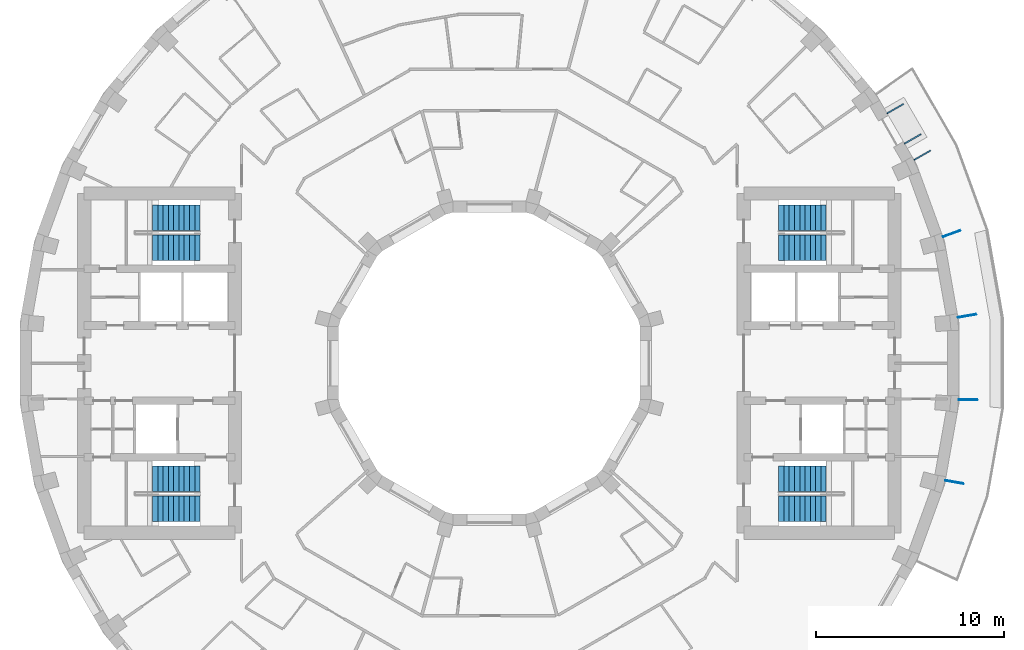
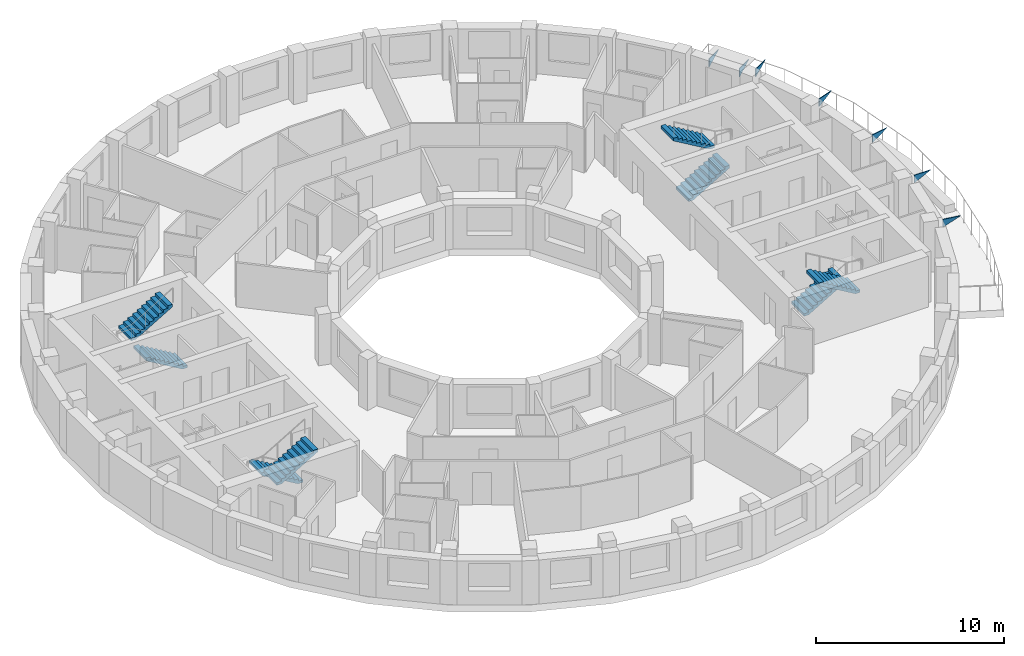
# One storey, part 10 of 11: 8 stair flights, 7 discrete accessories, 4 elements without a shape of their own.
"""IFC4 building model written with IfcOpenShell, lengths in metres."""

from ifc_helpers import new_model, si_unit, direction, frame, origin, place, context, subcontext, project, spatial, polyline, outline, extrude, material, layer, layer_set, type_object, element, aggregate, save


model = new_model("IFC4")

# Units and contexts
model_context = context("Model", 3, precision=1e-05, world=origin(), true_north=direction((0.0, 1.0)))
body_context = subcontext(model_context, "Body", "Model", "MODEL_VIEW")
ifc_project = project(units=[si_unit("LENGTHUNIT", "METRE"), si_unit("AREAUNIT", "SQUARE_METRE"), si_unit("VOLUMEUNIT", "CUBIC_METRE"), si_unit("PLANEANGLEUNIT", "RADIAN"), si_unit("MASSUNIT", "GRAM", prefix="KILO")], contexts=[model_context])

# Site, building, storey
site_placement = place(None, origin())
site = spatial("IfcSite", under=ifc_project, at=site_placement, CompositionType="ELEMENT")
building_placement = place(site_placement, origin())
building = spatial("IfcBuilding", under=site, at=building_placement, Name="Saqina Gate Tower", CompositionType="ELEMENT")
storey_placement = place(building_placement, frame((0.0, 0.0, 180.60009765625)))
storey = spatial("IfcBuildingStorey", under=building, at=storey_placement, Name="L51", CompositionType="ELEMENT", Elevation=180.60009765625)

# Stair, stair flights
ifc_material_1 = material(Name="Concrete C40/50", Category="concrete")
stair_type = type_object("IfcStairType", Name="EXIT STAIR", PredefinedType="HALF_TURN_STAIR", material=ifc_material_1)
stair_1_placement = place(storey_placement, origin())
stair_1 = element("IfcStair", 1, at=stair_1_placement, inside=storey, type_object=stair_type, Name="EXIT STAIR 1", PredefinedType="HALF_TURN_STAIR")
ifc_material_2 = material(Name="Concrete C40/50", Category="concrete")
stair_flight_type = type_object("IfcStairFlightType", Name="EXIT STAIR FLIGHT", PredefinedType="STRAIGHT", material=ifc_material_2)
stair_flight_1_placement = place(storey_placement, frame((15.35009765625, 6.125, 0.0), z_axis=(0.0, 0.0, 1.0), x_axis=(1.0, 0.0, 0.0)))
stair_flight_1 = element("IfcStairFlight", 2, at=stair_flight_1_placement, type_object=stair_flight_type, Name="EXIT STAIR 1 FLIGHT 1", NumberOfRisers=10, NumberOfTreads=9, PredefinedType="STRAIGHT", RiserHeight=0.165, TreadLength=0.28, context=body_context, shape_type="SweptSolid", body=[
    extrude(outline(polyline([(0.0, 0.0), (0.0, 0.1650390625), (0.280029296875, 0.1650390625), (0.280029296875, 0.330078125), (0.56005859375, 0.330078125), (0.56005859375, 0.4951171875), (0.840087890625, 0.4951171875), (0.840087890625, 0.659912109375), (1.1201171875, 0.659912109375), (1.1201171875, 0.824951171875), (1.39990234375, 0.824951171875), (1.39990234375, 0.989990234375), (1.679931640625, 0.989990234375), (1.679931640625, 1.155029296875), (1.9599609375, 1.155029296875), (1.9599609375, 1.320068359375), (2.239990234375, 1.320068359375), (2.239990234375, 1.485107421875), (2.52001953125, 1.485107421875), (2.52001953125, 1.64990234375), (2.52001953125, 1.31103515625), (0.295166015625, 0.0), (0.0, 0.0)])), frame((0.0, 0.675048828125, 0.0), z_axis=(0.0, -1.0, 0.0), x_axis=(1.0, 0.0, 0.0)), (0.0, 0.0, 1.0), 1.35009765625),
])
stair_flight_2_placement = place(storey_placement, frame((17.8701171875, 7.72509765625, 1.64990234375), z_axis=(0.0, 0.0, 1.0), x_axis=(-1.0, 0.0, 0.0)))
stair_flight_2 = element("IfcStairFlight", 3, at=stair_flight_2_placement, type_object=stair_flight_type, Name="EXIT STAIR 1 FLIGHT 2", NumberOfRisers=10, NumberOfTreads=9, PredefinedType="STRAIGHT", RiserHeight=0.165, TreadLength=0.28, context=body_context, shape_type="SweptSolid", body=[
    extrude(outline(polyline([(0.0, 0.0), (0.0, 0.1650390625), (0.280029296875, 0.1650390625), (0.280029296875, 0.330078125), (0.56005859375, 0.330078125), (0.56005859375, 0.4951171875), (0.840087890625, 0.4951171875), (0.840087890625, 0.659912109375), (1.1201171875, 0.659912109375), (1.1201171875, 0.824951171875), (1.39990234375, 0.824951171875), (1.39990234375, 0.989990234375), (1.679931640625, 0.989990234375), (1.679931640625, 1.155029296875), (1.9599609375, 1.155029296875), (1.9599609375, 1.320068359375), (2.239990234375, 1.320068359375), (2.239990234375, 1.485107421875), (2.52001953125, 1.485107421875), (2.52001953125, 1.64990234375), (2.52001953125, 1.31103515625), (0.295166015625, 0.0), (0.0, 0.0)])), frame((0.0, 0.675048828125, 0.0), z_axis=(0.0, -1.0, 0.0), x_axis=(1.0, 0.0, 0.0)), (0.0, 0.0, 1.0), 1.35009765625),
])
aggregate(stair_1, [stair_flight_1, stair_flight_2])

stair_2_placement = place(storey_placement, origin())
stair_2 = element("IfcStair", 4, at=stair_2_placement, inside=storey, type_object=stair_type, Name="EXIT STAIR 2", PredefinedType="HALF_TURN_STAIR")
stair_flight_3_placement = place(storey_placement, frame((15.35009765625, -6.125, 0.0), z_axis=(0.0, 0.0, 1.0), x_axis=(1.0, 0.0, 0.0)))
stair_flight_3 = element("IfcStairFlight", 5, at=stair_flight_3_placement, type_object=stair_flight_type, Name="EXIT STAIR 2 FLIGHT 1", NumberOfRisers=10, NumberOfTreads=9, PredefinedType="STRAIGHT", RiserHeight=0.165, TreadLength=0.28, context=body_context, shape_type="SweptSolid", body=[
    extrude(outline(polyline([(0.0, 0.0), (0.0, 0.1650390625), (0.280029296875, 0.1650390625), (0.280029296875, 0.330078125), (0.56005859375, 0.330078125), (0.56005859375, 0.4951171875), (0.840087890625, 0.4951171875), (0.840087890625, 0.659912109375), (1.1201171875, 0.659912109375), (1.1201171875, 0.824951171875), (1.39990234375, 0.824951171875), (1.39990234375, 0.989990234375), (1.679931640625, 0.989990234375), (1.679931640625, 1.155029296875), (1.9599609375, 1.155029296875), (1.9599609375, 1.320068359375), (2.239990234375, 1.320068359375), (2.239990234375, 1.485107421875), (2.52001953125, 1.485107421875), (2.52001953125, 1.64990234375), (2.52001953125, 1.31103515625), (0.295166015625, 0.0), (0.0, 0.0)])), frame((0.0, 0.675048828125, 0.0), z_axis=(0.0, -1.0, 0.0), x_axis=(1.0, 0.0, 0.0)), (0.0, 0.0, 1.0), 1.35009765625),
])
stair_flight_4_placement = place(storey_placement, frame((17.8701171875, -7.72509765625, 1.64990234375), z_axis=(0.0, 0.0, 1.0), x_axis=(-1.0, 0.0, 0.0)))
stair_flight_4 = element("IfcStairFlight", 6, at=stair_flight_4_placement, type_object=stair_flight_type, Name="EXIT STAIR 2 FLIGHT 2", NumberOfRisers=10, NumberOfTreads=9, PredefinedType="STRAIGHT", RiserHeight=0.165, TreadLength=0.28, context=body_context, shape_type="SweptSolid", body=[
    extrude(outline(polyline([(0.0, 0.0), (0.0, 0.1650390625), (0.280029296875, 0.1650390625), (0.280029296875, 0.330078125), (0.56005859375, 0.330078125), (0.56005859375, 0.4951171875), (0.840087890625, 0.4951171875), (0.840087890625, 0.659912109375), (1.1201171875, 0.659912109375), (1.1201171875, 0.824951171875), (1.39990234375, 0.824951171875), (1.39990234375, 0.989990234375), (1.679931640625, 0.989990234375), (1.679931640625, 1.155029296875), (1.9599609375, 1.155029296875), (1.9599609375, 1.320068359375), (2.239990234375, 1.320068359375), (2.239990234375, 1.485107421875), (2.52001953125, 1.485107421875), (2.52001953125, 1.64990234375), (2.52001953125, 1.31103515625), (0.295166015625, 0.0), (0.0, 0.0)])), frame((0.0, 0.675048828125, 0.0), z_axis=(0.0, -1.0, 0.0), x_axis=(1.0, 0.0, 0.0)), (0.0, 0.0, 1.0), 1.35009765625),
])
aggregate(stair_2, [stair_flight_3, stair_flight_4])

stair_3_placement = place(storey_placement, origin())
stair_3 = element("IfcStair", 7, at=stair_3_placement, inside=storey, type_object=stair_type, Name="EXIT STAIR 3", PredefinedType="HALF_TURN_STAIR")
stair_flight_5_placement = place(storey_placement, frame((-15.35009765625, 6.125, 0.0), z_axis=(0.0, 0.0, 1.0), x_axis=(-1.0, 0.0, 0.0)))
stair_flight_5 = element("IfcStairFlight", 8, at=stair_flight_5_placement, type_object=stair_flight_type, Name="EXIT STAIR 3 FLIGHT 1", NumberOfRisers=10, NumberOfTreads=9, PredefinedType="STRAIGHT", RiserHeight=0.165, TreadLength=0.28, context=body_context, shape_type="SweptSolid", body=[
    extrude(outline(polyline([(0.0, 0.0), (0.0, 0.1650390625), (0.280029296875, 0.1650390625), (0.280029296875, 0.330078125), (0.56005859375, 0.330078125), (0.56005859375, 0.4951171875), (0.840087890625, 0.4951171875), (0.840087890625, 0.659912109375), (1.1201171875, 0.659912109375), (1.1201171875, 0.824951171875), (1.39990234375, 0.824951171875), (1.39990234375, 0.989990234375), (1.679931640625, 0.989990234375), (1.679931640625, 1.155029296875), (1.9599609375, 1.155029296875), (1.9599609375, 1.320068359375), (2.239990234375, 1.320068359375), (2.239990234375, 1.485107421875), (2.52001953125, 1.485107421875), (2.52001953125, 1.64990234375), (2.52001953125, 1.31103515625), (0.295166015625, 0.0), (0.0, 0.0)])), frame((0.0, 0.675048828125, 0.0), z_axis=(0.0, -1.0, 0.0), x_axis=(1.0, 0.0, 0.0)), (0.0, 0.0, 1.0), 1.35009765625),
])
stair_flight_6_placement = place(storey_placement, frame((-17.8701171875, 7.72509765625, 1.64990234375), z_axis=(0.0, 0.0, 1.0), x_axis=(1.0, 0.0, 0.0)))
stair_flight_6 = element("IfcStairFlight", 9, at=stair_flight_6_placement, type_object=stair_flight_type, Name="EXIT STAIR 3 FLIGHT 2", NumberOfRisers=10, NumberOfTreads=9, PredefinedType="STRAIGHT", RiserHeight=0.165, TreadLength=0.28, context=body_context, shape_type="SweptSolid", body=[
    extrude(outline(polyline([(0.0, 0.0), (0.0, 0.1650390625), (0.280029296875, 0.1650390625), (0.280029296875, 0.330078125), (0.56005859375, 0.330078125), (0.56005859375, 0.4951171875), (0.840087890625, 0.4951171875), (0.840087890625, 0.659912109375), (1.1201171875, 0.659912109375), (1.1201171875, 0.824951171875), (1.39990234375, 0.824951171875), (1.39990234375, 0.989990234375), (1.679931640625, 0.989990234375), (1.679931640625, 1.155029296875), (1.9599609375, 1.155029296875), (1.9599609375, 1.320068359375), (2.239990234375, 1.320068359375), (2.239990234375, 1.485107421875), (2.52001953125, 1.485107421875), (2.52001953125, 1.64990234375), (2.52001953125, 1.31103515625), (0.295166015625, 0.0), (0.0, 0.0)])), frame((0.0, 0.675048828125, 0.0), z_axis=(0.0, -1.0, 0.0), x_axis=(1.0, 0.0, 0.0)), (0.0, 0.0, 1.0), 1.35009765625),
])
aggregate(stair_3, [stair_flight_5, stair_flight_6])

stair_4_placement = place(storey_placement, origin())
stair_4 = element("IfcStair", 10, at=stair_4_placement, inside=storey, type_object=stair_type, Name="EXIT STAIR 4", PredefinedType="HALF_TURN_STAIR")
stair_flight_7_placement = place(storey_placement, frame((-15.35009765625, -6.125, 0.0), z_axis=(0.0, 0.0, 1.0), x_axis=(-1.0, 0.0, 0.0)))
stair_flight_7 = element("IfcStairFlight", 11, at=stair_flight_7_placement, type_object=stair_flight_type, Name="EXIT STAIR 4 FLIGHT 1", NumberOfRisers=10, NumberOfTreads=9, PredefinedType="STRAIGHT", RiserHeight=0.165, TreadLength=0.28, context=body_context, shape_type="SweptSolid", body=[
    extrude(outline(polyline([(0.0, 0.0), (0.0, 0.1650390625), (0.280029296875, 0.1650390625), (0.280029296875, 0.330078125), (0.56005859375, 0.330078125), (0.56005859375, 0.4951171875), (0.840087890625, 0.4951171875), (0.840087890625, 0.659912109375), (1.1201171875, 0.659912109375), (1.1201171875, 0.824951171875), (1.39990234375, 0.824951171875), (1.39990234375, 0.989990234375), (1.679931640625, 0.989990234375), (1.679931640625, 1.155029296875), (1.9599609375, 1.155029296875), (1.9599609375, 1.320068359375), (2.239990234375, 1.320068359375), (2.239990234375, 1.485107421875), (2.52001953125, 1.485107421875), (2.52001953125, 1.64990234375), (2.52001953125, 1.31103515625), (0.295166015625, 0.0), (0.0, 0.0)])), frame((0.0, 0.675048828125, 0.0), z_axis=(0.0, -1.0, 0.0), x_axis=(1.0, 0.0, 0.0)), (0.0, 0.0, 1.0), 1.35009765625),
])
stair_flight_8_placement = place(storey_placement, frame((-17.8701171875, -7.72509765625, 1.64990234375), z_axis=(0.0, 0.0, 1.0), x_axis=(1.0, 0.0, 0.0)))
stair_flight_8 = element("IfcStairFlight", 12, at=stair_flight_8_placement, type_object=stair_flight_type, Name="EXIT STAIR 4 FLIGHT 2", NumberOfRisers=10, NumberOfTreads=9, PredefinedType="STRAIGHT", RiserHeight=0.165, TreadLength=0.28, context=body_context, shape_type="SweptSolid", body=[
    extrude(outline(polyline([(0.0, 0.0), (0.0, 0.1650390625), (0.280029296875, 0.1650390625), (0.280029296875, 0.330078125), (0.56005859375, 0.330078125), (0.56005859375, 0.4951171875), (0.840087890625, 0.4951171875), (0.840087890625, 0.659912109375), (1.1201171875, 0.659912109375), (1.1201171875, 0.824951171875), (1.39990234375, 0.824951171875), (1.39990234375, 0.989990234375), (1.679931640625, 0.989990234375), (1.679931640625, 1.155029296875), (1.9599609375, 1.155029296875), (1.9599609375, 1.320068359375), (2.239990234375, 1.320068359375), (2.239990234375, 1.485107421875), (2.52001953125, 1.485107421875), (2.52001953125, 1.64990234375), (2.52001953125, 1.31103515625), (0.295166015625, 0.0), (0.0, 0.0)])), frame((0.0, 0.675048828125, 0.0), z_axis=(0.0, -1.0, 0.0), x_axis=(1.0, 0.0, 0.0)), (0.0, 0.0, 1.0), 1.35009765625),
])
aggregate(stair_4, [stair_flight_7, stair_flight_8])

# Discrete accessories
ifc_material_3 = material(Name="Galvanised steel", Category="steel")
ifc_layer_1 = layer(ifc_material_3, 0.050048828125)
ifc_layer_set_1 = layer_set([ifc_layer_1], Name="BR-AWNING")
discrete_accessory_type_1 = type_object("IfcDiscreteAccessoryType", Name="BR-AWNING", PredefinedType="BRACKET", material=ifc_layer_set_1)
for number, where, z_axis, x_axis, name in (
    (13, (22.018310546875, 11.673095703125, 1.974853515625), (-0.50002537861, 0.866010750942, 0.0), (0.0, 0.0, 1.0), "Awning bracket L51 facet 3"),
    (14, (21.09326171875, 13.27490234375, 1.974853515625), (-0.50002537861, 0.866010750942, 0.0), (0.0, 0.0, 1.0), "Awning bracket L51 facet 3"),
):
    element("IfcDiscreteAccessory", number, at=place(storey_placement, frame(where, z_axis=z_axis, x_axis=x_axis)), inside=storey, type_object=discrete_accessory_type_1, Name=name, PredefinedType="BRACKET", context=body_context, shape_type="SweptSolid", body=[
        extrude(outline(polyline([(0.0, 0.0), (0.550048828125, 0.0), (0.550048828125, 0.9999492453569568), (0.0, 0.0)])), origin(), (0.0, 0.0, -1.0), 0.050048828125),
    ])
ifc_material_4 = material(Name="Galvanised steel", Category="steel")
ifc_layer_2 = layer(ifc_material_4, 0.050048828125)
ifc_layer_set_2 = layer_set([ifc_layer_2], Name="BR-GUSSET")
discrete_accessory_type_2 = type_object("IfcDiscreteAccessoryType", Name="BR-GUSSET", PredefinedType="BRACKET", material=ifc_layer_set_2)
discrete_accessory_1_placement = place(storey_placement, frame((24.19580078125, -6.19970703125, 2.349853515625), z_axis=(0.173576426815, 0.984820401928, 0.0), x_axis=(0.0, 0.0, 1.0)))
element("IfcDiscreteAccessory", 15, at=discrete_accessory_1_placement, inside=storey, type_object=discrete_accessory_type_2, Name="Terrace slab bracket L52 1", PredefinedType="BRACKET", context=body_context, shape_type="SweptSolid", body=[
    extrude(outline(polyline([(0.0, 0.0), (0.5, 0.0), (0.5, 1.000043540245132), (0.0, 0.0)])), origin(), (0.0, 0.0, -1.0), 0.050048828125),
])
discrete_accessory_2_placement = place(storey_placement, frame((24.90478515625, -1.90380859375, 2.349853515625), z_axis=(0.0, 1.0, 0.0), x_axis=(0.0, 0.0, 1.0)))
element("IfcDiscreteAccessory", 16, at=discrete_accessory_2_placement, inside=storey, type_object=discrete_accessory_type_2, Name="Terrace slab bracket L52 2", PredefinedType="BRACKET", context=body_context, shape_type="SweptSolid", body=[
    extrude(outline(polyline([(0.0, 0.0), (0.5, 0.0), (0.5, 1.0), (0.0, 0.0)])), origin(), (0.0, 0.0, -1.0), 0.050048828125),
])
discrete_accessory_3_placement = place(storey_placement, frame((24.857177734375, 2.44970703125, 2.349853515625), z_axis=(-0.173618168668, 0.984813043937, 0.0), x_axis=(0.0, 0.0, 1.0)))
element("IfcDiscreteAccessory", 17, at=discrete_accessory_3_placement, inside=storey, type_object=discrete_accessory_type_2, Name="Terrace slab bracket L52 3", PredefinedType="BRACKET", context=body_context, shape_type="SweptSolid", body=[
    extrude(outline(polyline([(0.0, 0.0), (0.5, 0.0), (0.5, 0.9998031064747768), (0.0, 0.0)])), origin(), (0.0, 0.0, -1.0), 0.050048828125),
])
discrete_accessory_4_placement = place(storey_placement, frame((24.05419921875, 6.72900390625, 2.349853515625), z_axis=(-0.341821477669, 0.939764905391, 0.0), x_axis=(0.0, 0.0, 1.0)))
element("IfcDiscreteAccessory", 18, at=discrete_accessory_4_placement, inside=storey, type_object=discrete_accessory_type_2, Name="Terrace slab bracket L52 4", PredefinedType="BRACKET", context=body_context, shape_type="SweptSolid", body=[
    extrude(outline(polyline([(0.0, 0.0), (0.5, 0.0), (0.5, 0.999928024801219), (0.0, 0.0)])), origin(), (0.0, 0.0, -1.0), 0.050048828125),
])
discrete_accessory_5_placement = place(storey_placement, frame((22.520263671875, 10.8037109375, 2.349853515625), z_axis=(-0.50002537861, 0.866010750942, 0.0), x_axis=(0.0, 0.0, 1.0)))
element("IfcDiscreteAccessory", 19, at=discrete_accessory_5_placement, inside=storey, type_object=discrete_accessory_type_2, Name="Terrace slab bracket L52 5", PredefinedType="BRACKET", context=body_context, shape_type="SweptSolid", body=[
    extrude(outline(polyline([(0.0, 0.0), (0.5, 0.0), (0.5, 0.9999492453569568), (0.0, 0.0)])), origin(), (0.0, 0.0, -1.0), 0.050048828125),
])

save(model, "model.ifc")
